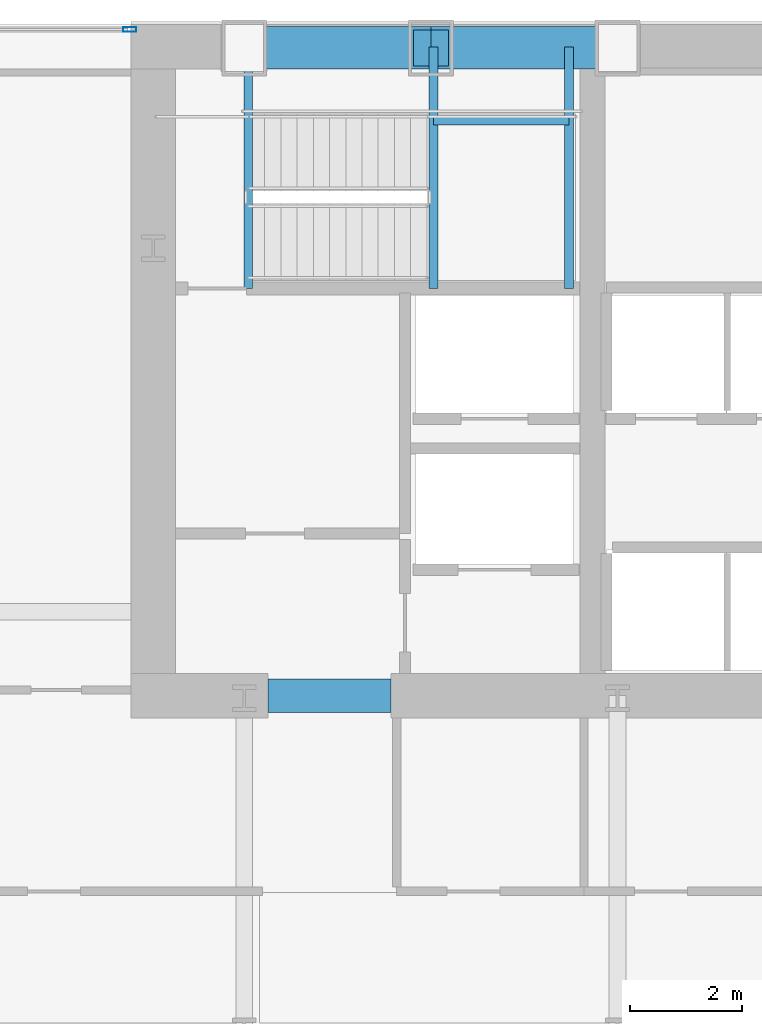
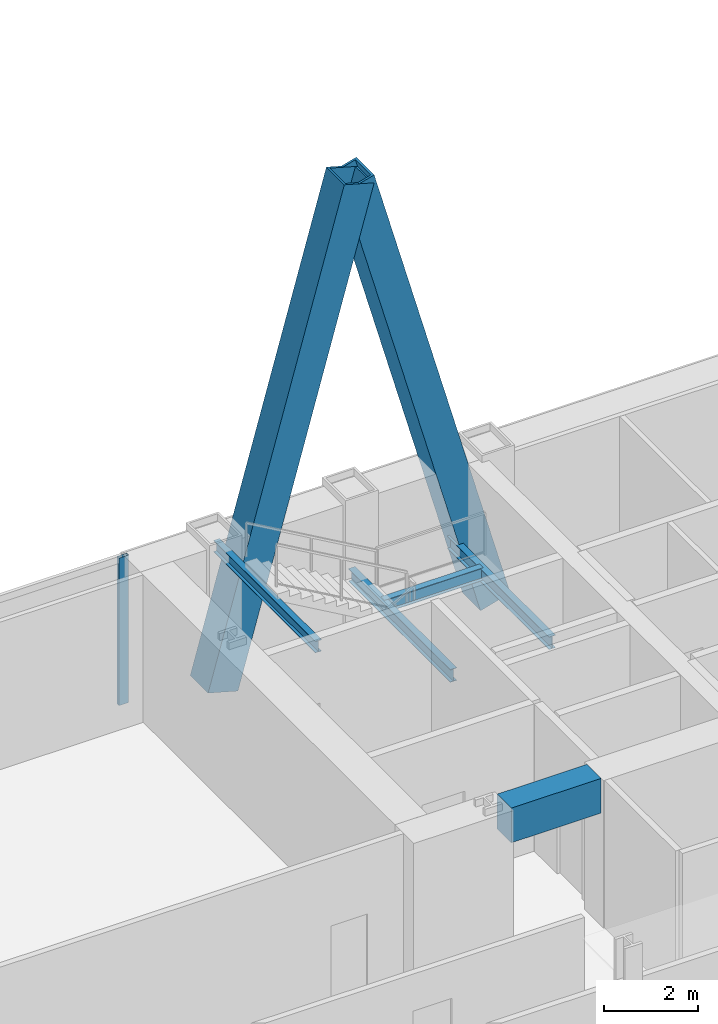
# One storey, part 18 of 35: 5 beams, 3 members, 1 element without a shape of its own.
"""IFC4 building model written with IfcOpenShell, lengths in metres."""

from ifc_helpers import new_model, si_unit, direction, frame, origin, origin_2d, place, context, subcontext, project, spatial, rectangle, hollow_rectangle, i_section, extrude, material, material_profile, profile_set, type_object, element, aggregate, save


model = new_model("IFC4")

# Units and contexts
model_context = context("Model", 3, precision=1e-05, world=origin(), true_north=direction((0.0, 1.0)))
body_context = subcontext(model_context, "Body", "Model", "MODEL_VIEW")
ifc_project = project(units=[si_unit("LENGTHUNIT", "METRE"), si_unit("AREAUNIT", "SQUARE_METRE"), si_unit("VOLUMEUNIT", "CUBIC_METRE"), si_unit("PLANEANGLEUNIT", "RADIAN"), si_unit("MASSUNIT", "GRAM", prefix="KILO")], contexts=[model_context])

# Site, building, storey
site_placement = place(None, origin())
site = spatial("IfcSite", under=ifc_project, at=site_placement, CompositionType="ELEMENT")
building_placement = place(site_placement, origin())
building = spatial("IfcBuilding", under=site, at=building_placement, Name="Khoronbel Lancet Exchange", CompositionType="ELEMENT")
storey_placement = place(building_placement, frame((0.0, 0.0, 25.800048828125)))
storey = spatial("IfcBuildingStorey", under=building, at=storey_placement, Name="L05", CompositionType="ELEMENT", Elevation=25.800048828125)

# Beams
ifc_material_1 = material(Name="Steel S355", Category="steel")
ifc_material_profile_1 = material_profile(ifc_material_1, i_section(OverallWidth=0.159912109375, OverallDepth=0.330078125, WebThickness=0.007568359375, FlangeThickness=0.011474609375, at=origin_2d()), Name="IPE 330")
ifc_profile_set_1 = profile_set([ifc_material_profile_1], Name="Steel S355")
beam_type_1 = type_object("IfcBeamType", Name="BM-BJ7", PredefinedType="JOIST", material=ifc_profile_set_1)
for number, where, z_axis, x_axis, name in (
    (1, (21.610107421875, 48.97998046875, 1.635009765625), (0.0, 1.0, 0.0), (-1.0, 0.0, 0.0), "Level L05 stair ST1 landing bearer beam 1"),
    (2, (24.030029296875, 48.97998046875, 1.635009765625), (0.0, 1.0, 0.0), (-1.0, 0.0, 0.0), "Level L05 stair ST1 rear landing bearer beam 1"),
):
    element("IfcBeam", number, at=place(storey_placement, frame(where, z_axis=z_axis, x_axis=x_axis)), inside=storey, type_object=beam_type_1, Name=name, PredefinedType="JOIST", context=body_context, shape_type="SweptSolid", body=[
        extrude(i_section(OverallWidth=0.159912109375, OverallDepth=0.330078125, WebThickness=0.007568359375, FlangeThickness=0.011474609375, at=origin_2d()), origin(), (0.0, 0.0, 1.0), 4.320068359375),
    ])
beam_1_placement = place(storey_placement, frame((21.610107421875, 51.97998046875, 1.635009765625), z_axis=(1.0, 0.0, 0.0), x_axis=(0.0, 1.0, 0.0)))
element("IfcBeam", 3, at=beam_1_placement, inside=storey, type_object=beam_type_1, Name="Level L05 stair ST1 landing cross trimmer beam 1", PredefinedType="JOIST", context=body_context, shape_type="SweptSolid", body=[
    extrude(i_section(OverallWidth=0.159912109375, OverallDepth=0.330078125, WebThickness=0.007568359375, FlangeThickness=0.011474609375, at=origin_2d()), origin(), (0.0, 0.0, 1.0), 2.419921875),
])
ifc_material_profile_2 = material_profile(ifc_material_1, i_section(OverallWidth=0.14990234375, OverallDepth=0.300048828125, WebThickness=0.007080078125, FlangeThickness=0.0107421875, at=origin_2d()), Name="IPE 300")
ifc_profile_set_2 = profile_set([ifc_material_profile_2], Name="Steel S355")
beam_type_2 = type_object("IfcBeamType", Name="BM-BJ8", PredefinedType="JOIST", material=ifc_profile_set_2)
beam_2_placement = place(storey_placement, frame((18.300048828125, 48.97998046875, 3.5400390625), z_axis=(0.0, 1.0, 0.0), x_axis=(-1.0, 0.0, 0.0)))
element("IfcBeam", 4, at=beam_2_placement, inside=storey, type_object=beam_type_2, Name="Level L05 stair ST1 upper-flight arrival trimmer beam", PredefinedType="JOIST", context=body_context, shape_type="SweptSolid", body=[
    extrude(i_section(OverallWidth=0.14990234375, OverallDepth=0.300048828125, WebThickness=0.007080078125, FlangeThickness=0.0107421875, at=origin_2d()), origin(), (0.0, 0.0, 1.0), 4.320068359375),
])
ifc_material_2 = material(Name="Concrete C80/95", Category="concrete")
ifc_material_profile_3 = material_profile(ifc_material_2, rectangle(XDim=0.60009765625, YDim=0.89990234375, at=origin_2d()), Name="RC 600x900")
ifc_profile_set_3 = profile_set([ifc_material_profile_3], Name="Concrete C80/95")
beam_type_3 = type_object("IfcBeamType", Name="BM-BL1", PredefinedType="LINTEL", material=ifc_profile_set_3)
beam_3_placement = place(storey_placement, frame((18.64990234375, 41.699951171875, 3.369873046875), z_axis=(1.0, 0.0, 0.0), x_axis=(0.0, 1.0, 0.0)))
element("IfcBeam", 5, at=beam_3_placement, inside=storey, type_object=beam_type_3, Name="Level L05 rear core coupling lintel L1", PredefinedType="LINTEL", context=body_context, shape_type="SweptSolid", body=[
    extrude(rectangle(XDim=0.60009765625, YDim=0.89990234375, at=origin_2d()), origin(), (0.0, 0.0, 1.0), 2.2001953125),
])

# Curtain wall, member
ifc_material_3 = material(Name="Low-E Solar Control Insulating Glass", Category="glass")
curtain_wall_type = type_object("IfcCurtainWallType", Name="CW-1", PredefinedType="NOTDEFINED", material=ifc_material_3)
curtain_wall_placement = place(storey_placement, origin())
curtain_wall = element("IfcCurtainWall", 6, at=curtain_wall_placement, inside=storey, type_object=curtain_wall_type, Name="Unitised curtain wall CW-L05-NWFLK", PredefinedType="NOTDEFINED")
ifc_material_4 = material(Name="Bronze-Anodised Aluminium 6063-T6", Category="aluminium")
ifc_material_profile_4 = material_profile(ifc_material_4, hollow_rectangle(XDim=0.0849609375, YDim=0.239990234375, WallThickness=0.006103515625, at=origin_2d()), Name="ALU MULLION 85x240")
ifc_profile_set_4 = profile_set([ifc_material_profile_4], Name="Bronze-Anodised Aluminium 6063-T6")
member_type_1 = type_object("IfcMemberType", Name="MEM-CWM1", PredefinedType="MULLION", material=ifc_profile_set_4)
member_placement = place(storey_placement, frame((16.177490234375, 53.610107421875, 0.0), z_axis=(0.0, 0.0, 1.0), x_axis=(0.0, -1.0, 0.0)))
member = element("IfcMember", 7, at=member_placement, type_object=member_type_1, Name="CW1 mullion 1", PredefinedType="MULLION", context=body_context, shape_type="SweptSolid", body=[
    extrude(hollow_rectangle(XDim=0.0849609375, YDim=0.239990234375, WallThickness=0.006103515625, at=origin_2d()), origin(), (0.0, 0.0, 1.0), 3.820068359375),
])
aggregate(curtain_wall, [member])

# Members
ifc_material_5 = material(Name="Steel S460", Category="steel")
ifc_material_profile_5 = material_profile(ifc_material_5, hollow_rectangle(XDim=0.760009765625, YDim=0.760009765625, WallThickness=0.054931640625, at=origin_2d()), Name="BOX 760x760x55")
ifc_profile_set_5 = profile_set([ifc_material_profile_5], Name="Steel S460")
member_type_2 = type_object("IfcMemberType", Name="MEM-MB1", PredefinedType="BRACE", material=ifc_profile_set_5)
for number, where, z_axis, x_axis, name in (
    (8, (18.22509765625, 53.280029296875, 0.0), (0.267947134133, 0.0, 0.963433616452), (0.0, 1.0, 0.0), "Perimeter lancet brace tier 1 N-W-L"),
    (9, (24.89990234375, 53.280029296875, 0.0), (-0.267947134133, 0.0, 0.963433616452), (0.0, -1.0, 0.0), "Perimeter lancet brace tier 1 N-W-R"),
):
    element("IfcMember", number, at=place(storey_placement, frame(where, z_axis=z_axis, x_axis=x_axis)), inside=storey, type_object=member_type_2, Name=name, PredefinedType="BRACE", context=body_context, shape_type="SweptSolid", body=[
        extrude(hollow_rectangle(XDim=0.760009765625, YDim=0.760009765625, WallThickness=0.054931640625, at=origin_2d()), origin(), (0.0, 0.0, 1.0), 12.45556640625),
    ])

save(model, "model.ifc")
